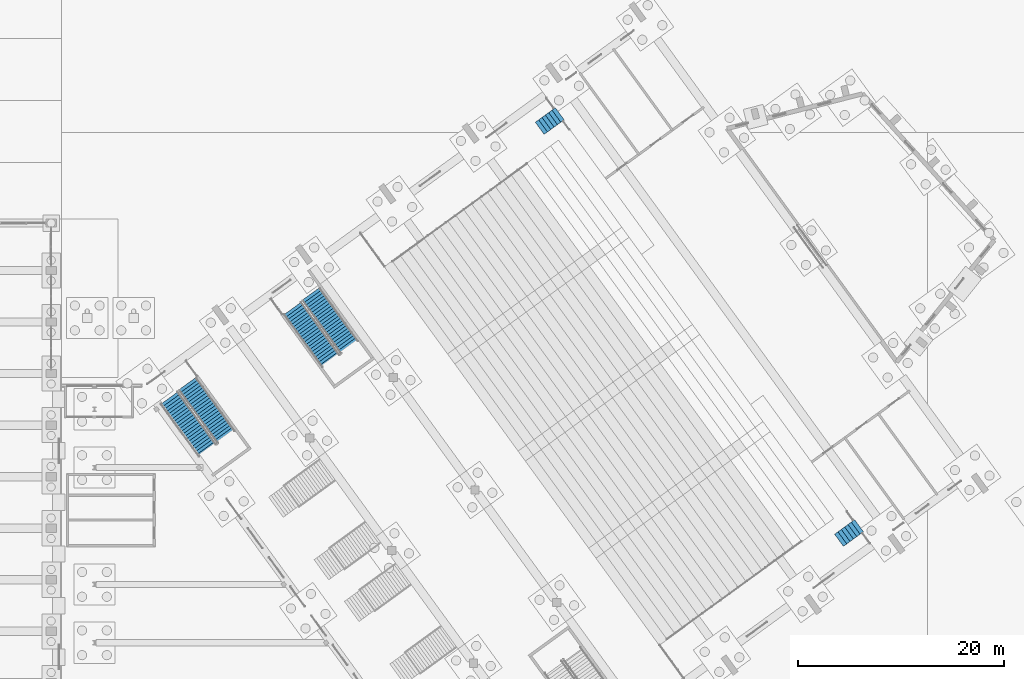
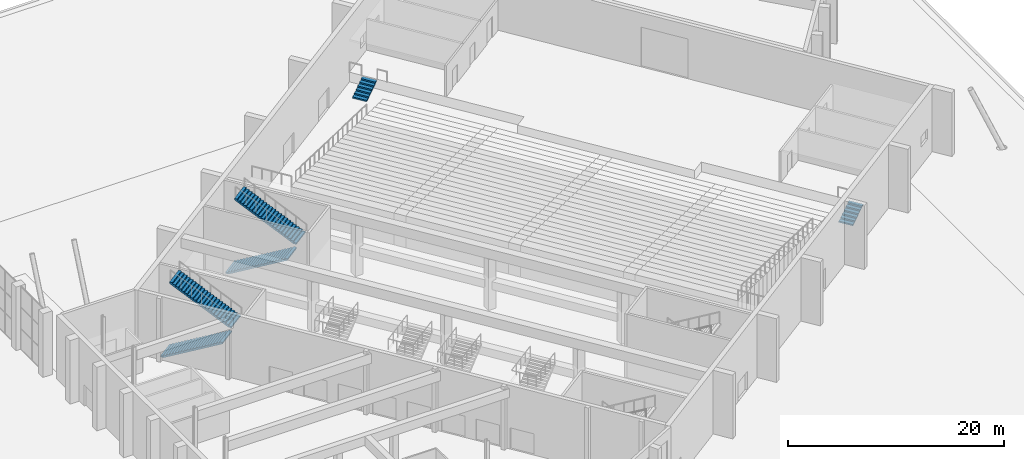
# One storey, part 194 of 239: 6 stair flights, 4 elements without a shape of their own.
"""IFC4 building model written with IfcOpenShell, lengths in metres."""

from ifc_helpers import new_model, si_unit, direction, frame, origin, place, context, subcontext, project, spatial, polyline, outline, extrude, material, type_object, element, aggregate, save


model = new_model("IFC4")

# Units and contexts
model_context = context("Model", 3, precision=1e-05, world=origin(), true_north=direction((0.0, 1.0)))
body_context = subcontext(model_context, "Body", "Model", "MODEL_VIEW")
ifc_project = project(units=[si_unit("LENGTHUNIT", "METRE"), si_unit("AREAUNIT", "SQUARE_METRE"), si_unit("VOLUMEUNIT", "CUBIC_METRE"), si_unit("PLANEANGLEUNIT", "RADIAN"), si_unit("MASSUNIT", "GRAM", prefix="KILO")], contexts=[model_context])

# Site, building, storey
site_placement = place(None, origin())
site = spatial("IfcSite", under=ifc_project, at=site_placement, CompositionType="ELEMENT")
building_placement = place(site_placement, origin())
building = spatial("IfcBuilding", under=site, at=building_placement, Name="Okhra Congress Centre", CompositionType="ELEMENT")
storey_placement = place(building_placement, origin())
storey = spatial("IfcBuildingStorey", under=building, at=storey_placement, Name="L00", CompositionType="ELEMENT", Elevation=0.0)

# Stair, stair flight
ifc_material = material(Name="Concrete C30/37", Category="concrete")
stair_type_1 = type_object("IfcStairType", Name="Stage stair 1450 wide, 7 risers of 157.1", PredefinedType="STRAIGHT_RUN_STAIR", material=ifc_material)
stair_1_placement = place(storey_placement, origin())
stair_1 = element("IfcStair", 1, at=stair_1_placement, inside=storey, type_object=stair_type_1, Name="Stage stair 1", PredefinedType="STRAIGHT_RUN_STAIR")
stair_flight_type_1 = type_object("IfcStairFlightType", Name="Stair flight 1450 wide", PredefinedType="STRAIGHT", material=ifc_material)
stair_flight_1_placement = place(storey_placement, frame((265.4306640625, 184.831298828125, 0.0), z_axis=(0.0, 0.0, 1.0), x_axis=(0.809016994375, 0.587785252292, 0.0)))
stair_flight_1 = element("IfcStairFlight", 2, at=stair_flight_1_placement, type_object=stair_flight_type_1, Name="ST11 flight 1", NumberOfRisers=7, NumberOfTreads=6, PredefinedType="STRAIGHT", RiserHeight=0.157142857, TreadLength=0.4, context=body_context, shape_type="SweptSolid", body=[
    extrude(outline(polyline([(0.0, 0.0), (0.0, 0.1572265625), (0.39990234375, 0.1572265625), (0.39990234375, 0.314208984375), (0.800048828125, 0.314208984375), (0.800048828125, 0.471435546875), (1.199951171875, 0.471435546875), (1.199951171875, 0.628662109375), (1.60009765625, 0.628662109375), (1.60009765625, 0.78564453125), (2.0, 0.78564453125), (2.0, 0.94287109375), (2.39990234375, 0.94287109375), (2.39990234375, 1.10009765625), (2.39990234375, 0.89990234375), (0.109619140625, 0.0), (0.0, 0.0)])), frame((0.0, 0.72509765625, 0.0), z_axis=(0.0, -1.0, 0.0), x_axis=(1.0, 0.0, 0.0)), (0.0, 0.0, 1.0), 1.449951171875),
])
aggregate(stair_1, [stair_flight_1])

stair_2_placement = place(storey_placement, origin())
stair_2 = element("IfcStair", 3, at=stair_2_placement, inside=storey, type_object=stair_type_1, Name="Stage stair 2", PredefinedType="STRAIGHT_RUN_STAIR")
stair_flight_2_placement = place(storey_placement, frame((236.39404296875, 224.796875, 0.0), z_axis=(0.0, 0.0, 1.0), x_axis=(0.809016994375, 0.587785252292, 0.0)))
stair_flight_2 = element("IfcStairFlight", 4, at=stair_flight_2_placement, type_object=stair_flight_type_1, Name="ST11 flight 1", NumberOfRisers=7, NumberOfTreads=6, PredefinedType="STRAIGHT", RiserHeight=0.157142857, TreadLength=0.4, context=body_context, shape_type="SweptSolid", body=[
    extrude(outline(polyline([(0.0, 0.0), (0.0, 0.1572265625), (0.39990234375, 0.1572265625), (0.39990234375, 0.314208984375), (0.800048828125, 0.314208984375), (0.800048828125, 0.471435546875), (1.199951171875, 0.471435546875), (1.199951171875, 0.628662109375), (1.60009765625, 0.628662109375), (1.60009765625, 0.78564453125), (2.0, 0.78564453125), (2.0, 0.94287109375), (2.39990234375, 0.94287109375), (2.39990234375, 1.10009765625), (2.39990234375, 0.89990234375), (0.109619140625, 0.0), (0.0, 0.0)])), frame((0.0, 0.72509765625, 0.0), z_axis=(0.0, -1.0, 0.0), x_axis=(1.0, 0.0, 0.0)), (0.0, 0.0, 1.0), 1.449951171875),
])
aggregate(stair_2, [stair_flight_2])

# Stair, stair flights
stair_type_2 = type_object("IfcStairType", Name="Escape stair 2100 wide, 44 risers of 163.6", PredefinedType="HALF_TURN_STAIR", material=ifc_material)
stair_3_placement = place(storey_placement, origin())
stair_3 = element("IfcStair", 5, at=stair_3_placement, inside=storey, type_object=stair_type_2, Name="L00 Escape stair 3", PredefinedType="HALF_TURN_STAIR")
stair_flight_type_2 = type_object("IfcStairFlightType", Name="Stair flight 2100 wide", PredefinedType="STRAIGHT", material=ifc_material)
stair_flight_3_placement = place(storey_placement, frame((200.462646484375, 198.62939453125, 0.0), z_axis=(0.0, 0.0, 1.0), x_axis=(0.587785252292, -0.809016994375, 0.0)))
stair_flight_3 = element("IfcStairFlight", 6, at=stair_flight_3_placement, type_object=stair_flight_type_2, Name="C3 flight 1", NumberOfRisers=22, NumberOfTreads=21, PredefinedType="STRAIGHT", RiserHeight=0.163636364, TreadLength=0.3, context=body_context, shape_type="SweptSolid", body=[
    extrude(outline(polyline([(0.0, 0.0), (0.0, 0.16357421875), (0.300048828125, 0.16357421875), (0.300048828125, 0.327392578125), (0.60009765625, 0.327392578125), (0.60009765625, 0.490966796875), (0.89990234375, 0.490966796875), (0.89990234375, 0.654541015625), (1.199951171875, 0.654541015625), (1.199951171875, 0.818115234375), (1.5, 0.818115234375), (1.5, 0.98193359375), (1.800048828125, 0.98193359375), (1.800048828125, 1.1455078125), (2.10009765625, 1.1455078125), (2.10009765625, 1.30908203125), (2.39990234375, 1.30908203125), (2.39990234375, 1.47265625), (2.699951171875, 1.47265625), (2.699951171875, 1.636474609375), (3.0, 1.636474609375), (3.0, 1.800048828125), (3.300048828125, 1.800048828125), (3.300048828125, 1.963623046875), (3.60009765625, 1.963623046875), (3.60009765625, 2.127197265625), (3.89990234375, 2.127197265625), (3.89990234375, 2.291015625), (4.199951171875, 2.291015625), (4.199951171875, 2.45458984375), (4.5, 2.45458984375), (4.5, 2.6181640625), (4.800048828125, 2.6181640625), (4.800048828125, 2.78173828125), (5.10009765625, 2.78173828125), (5.10009765625, 2.945556640625), (5.39990234375, 2.945556640625), (5.39990234375, 3.109130859375), (5.699951171875, 3.109130859375), (5.699951171875, 3.272705078125), (6.0, 3.272705078125), (6.0, 3.436279296875), (6.300048828125, 3.436279296875), (6.300048828125, 3.60009765625), (6.300048828125, 3.265625), (0.31298828125, 0.0), (0.0, 0.0)])), frame((0.0, 1.050048828125, 0.0), z_axis=(0.0, -1.0, 0.0), x_axis=(1.0, 0.0, 0.0)), (0.0, 0.0, 1.0), 2.10009765625),
])
stair_flight_4_placement = place(storey_placement, frame((205.92724609375, 194.93603515625, 3.60009765625), z_axis=(0.0, 0.0, 1.0), x_axis=(-0.587785252292, 0.809016994375, 0.0)))
stair_flight_4 = element("IfcStairFlight", 7, at=stair_flight_4_placement, type_object=stair_flight_type_2, Name="C3 flight 2", NumberOfRisers=22, NumberOfTreads=21, PredefinedType="STRAIGHT", RiserHeight=0.163636364, TreadLength=0.3, context=body_context, shape_type="SweptSolid", body=[
    extrude(outline(polyline([(0.0, 0.0), (0.0, 0.16357421875), (0.300048828125, 0.16357421875), (0.300048828125, 0.327392578125), (0.60009765625, 0.327392578125), (0.60009765625, 0.490966796875), (0.89990234375, 0.490966796875), (0.89990234375, 0.654541015625), (1.199951171875, 0.654541015625), (1.199951171875, 0.818115234375), (1.5, 0.818115234375), (1.5, 0.98193359375), (1.800048828125, 0.98193359375), (1.800048828125, 1.1455078125), (2.10009765625, 1.1455078125), (2.10009765625, 1.30908203125), (2.39990234375, 1.30908203125), (2.39990234375, 1.47265625), (2.699951171875, 1.47265625), (2.699951171875, 1.636474609375), (3.0, 1.636474609375), (3.0, 1.800048828125), (3.300048828125, 1.800048828125), (3.300048828125, 1.963623046875), (3.60009765625, 1.963623046875), (3.60009765625, 2.127197265625), (3.89990234375, 2.127197265625), (3.89990234375, 2.291015625), (4.199951171875, 2.291015625), (4.199951171875, 2.45458984375), (4.5, 2.45458984375), (4.5, 2.6181640625), (4.800048828125, 2.6181640625), (4.800048828125, 2.78173828125), (5.10009765625, 2.78173828125), (5.10009765625, 2.945556640625), (5.39990234375, 2.945556640625), (5.39990234375, 3.109130859375), (5.699951171875, 3.109130859375), (5.699951171875, 3.272705078125), (6.0, 3.272705078125), (6.0, 3.436279296875), (6.300048828125, 3.436279296875), (6.300048828125, 3.60009765625), (6.300048828125, 3.265625), (0.31298828125, 0.0), (0.0, 0.0)])), frame((0.0, 1.050048828125, 0.0), z_axis=(0.0, -1.0, 0.0), x_axis=(1.0, 0.0, 0.0)), (0.0, 0.0, 1.0), 2.10009765625),
])
aggregate(stair_3, [stair_flight_3, stair_flight_4])

stair_4_placement = place(storey_placement, origin())
stair_4 = element("IfcStair", 8, at=stair_4_placement, inside=storey, type_object=stair_type_2, Name="L00 Escape stair 4", PredefinedType="HALF_TURN_STAIR")
stair_flight_5_placement = place(storey_placement, frame((212.43603515625, 207.32861328125, 0.0), z_axis=(0.0, 0.0, 1.0), x_axis=(0.587785252292, -0.809016994375, 0.0)))
stair_flight_5 = element("IfcStairFlight", 9, at=stair_flight_5_placement, type_object=stair_flight_type_2, Name="C4 flight 1", NumberOfRisers=22, NumberOfTreads=21, PredefinedType="STRAIGHT", RiserHeight=0.163636364, TreadLength=0.3, context=body_context, shape_type="SweptSolid", body=[
    extrude(outline(polyline([(0.0, 0.0), (0.0, 0.16357421875), (0.300048828125, 0.16357421875), (0.300048828125, 0.327392578125), (0.60009765625, 0.327392578125), (0.60009765625, 0.490966796875), (0.89990234375, 0.490966796875), (0.89990234375, 0.654541015625), (1.199951171875, 0.654541015625), (1.199951171875, 0.818115234375), (1.5, 0.818115234375), (1.5, 0.98193359375), (1.800048828125, 0.98193359375), (1.800048828125, 1.1455078125), (2.10009765625, 1.1455078125), (2.10009765625, 1.30908203125), (2.39990234375, 1.30908203125), (2.39990234375, 1.47265625), (2.699951171875, 1.47265625), (2.699951171875, 1.636474609375), (3.0, 1.636474609375), (3.0, 1.800048828125), (3.300048828125, 1.800048828125), (3.300048828125, 1.963623046875), (3.60009765625, 1.963623046875), (3.60009765625, 2.127197265625), (3.89990234375, 2.127197265625), (3.89990234375, 2.291015625), (4.199951171875, 2.291015625), (4.199951171875, 2.45458984375), (4.5, 2.45458984375), (4.5, 2.6181640625), (4.800048828125, 2.6181640625), (4.800048828125, 2.78173828125), (5.10009765625, 2.78173828125), (5.10009765625, 2.945556640625), (5.39990234375, 2.945556640625), (5.39990234375, 3.109130859375), (5.699951171875, 3.109130859375), (5.699951171875, 3.272705078125), (6.0, 3.272705078125), (6.0, 3.436279296875), (6.300048828125, 3.436279296875), (6.300048828125, 3.60009765625), (6.300048828125, 3.265625), (0.31298828125, 0.0), (0.0, 0.0)])), frame((0.0, 1.050048828125, 0.0), z_axis=(0.0, -1.0, 0.0), x_axis=(1.0, 0.0, 0.0)), (0.0, 0.0, 1.0), 2.10009765625),
])
stair_flight_6_placement = place(storey_placement, frame((217.900634765625, 203.63525390625, 3.60009765625), z_axis=(0.0, 0.0, 1.0), x_axis=(-0.587785252292, 0.809016994375, 0.0)))
stair_flight_6 = element("IfcStairFlight", 10, at=stair_flight_6_placement, type_object=stair_flight_type_2, Name="C4 flight 2", NumberOfRisers=22, NumberOfTreads=21, PredefinedType="STRAIGHT", RiserHeight=0.163636364, TreadLength=0.3, context=body_context, shape_type="SweptSolid", body=[
    extrude(outline(polyline([(0.0, 0.0), (0.0, 0.16357421875), (0.300048828125, 0.16357421875), (0.300048828125, 0.327392578125), (0.60009765625, 0.327392578125), (0.60009765625, 0.490966796875), (0.89990234375, 0.490966796875), (0.89990234375, 0.654541015625), (1.199951171875, 0.654541015625), (1.199951171875, 0.818115234375), (1.5, 0.818115234375), (1.5, 0.98193359375), (1.800048828125, 0.98193359375), (1.800048828125, 1.1455078125), (2.10009765625, 1.1455078125), (2.10009765625, 1.30908203125), (2.39990234375, 1.30908203125), (2.39990234375, 1.47265625), (2.699951171875, 1.47265625), (2.699951171875, 1.636474609375), (3.0, 1.636474609375), (3.0, 1.800048828125), (3.300048828125, 1.800048828125), (3.300048828125, 1.963623046875), (3.60009765625, 1.963623046875), (3.60009765625, 2.127197265625), (3.89990234375, 2.127197265625), (3.89990234375, 2.291015625), (4.199951171875, 2.291015625), (4.199951171875, 2.45458984375), (4.5, 2.45458984375), (4.5, 2.6181640625), (4.800048828125, 2.6181640625), (4.800048828125, 2.78173828125), (5.10009765625, 2.78173828125), (5.10009765625, 2.945556640625), (5.39990234375, 2.945556640625), (5.39990234375, 3.109130859375), (5.699951171875, 3.109130859375), (5.699951171875, 3.272705078125), (6.0, 3.272705078125), (6.0, 3.436279296875), (6.300048828125, 3.436279296875), (6.300048828125, 3.60009765625), (6.300048828125, 3.265625), (0.31298828125, 0.0), (0.0, 0.0)])), frame((0.0, 1.050048828125, 0.0), z_axis=(0.0, -1.0, 0.0), x_axis=(1.0, 0.0, 0.0)), (0.0, 0.0, 1.0), 2.10009765625),
])
aggregate(stair_4, [stair_flight_5, stair_flight_6])

save(model, "model.ifc")
